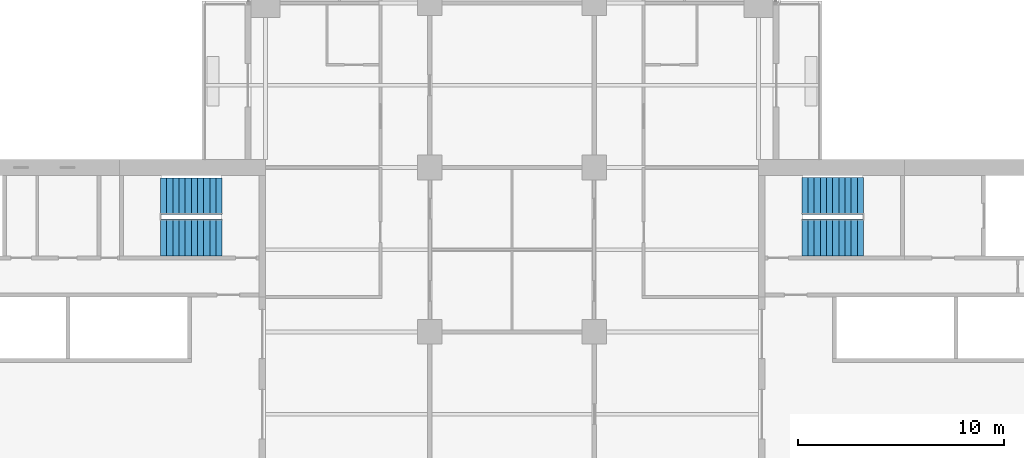
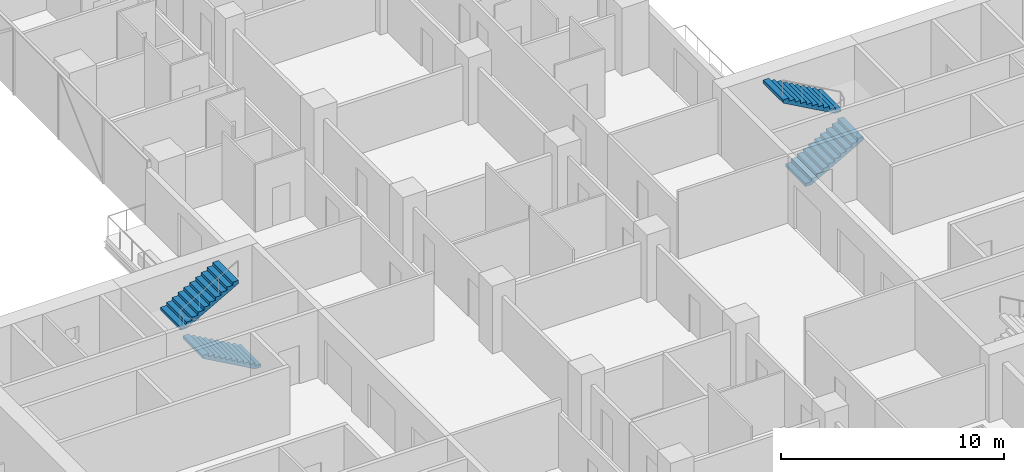
# One storey, part 24 of 29: 4 stair flights, 2 elements without a shape of their own.
"""IFC4 building model written with IfcOpenShell, lengths in metres."""

from ifc_helpers import new_model, si_unit, direction, frame, origin, place, context, subcontext, project, spatial, polyline, outline, extrude, material, type_object, element, aggregate, save


model = new_model("IFC4")

# Units and contexts
model_context = context("Model", 3, precision=1e-05, world=origin(), true_north=direction((0.0, 1.0)))
body_context = subcontext(model_context, "Body", "Model", "MODEL_VIEW")
ifc_project = project(units=[si_unit("LENGTHUNIT", "METRE"), si_unit("AREAUNIT", "SQUARE_METRE"), si_unit("VOLUMEUNIT", "CUBIC_METRE"), si_unit("PLANEANGLEUNIT", "RADIAN"), si_unit("MASSUNIT", "GRAM", prefix="KILO")], contexts=[model_context])

# Site, building, storey
site_placement = place(None, origin())
site = spatial("IfcSite", under=ifc_project, at=site_placement, CompositionType="ELEMENT")
building_placement = place(site_placement, origin())
building = spatial("IfcBuilding", under=site, at=building_placement, Name="Crosswind Convention Tower", CompositionType="ELEMENT")
storey_placement = place(building_placement, frame((0.0, 0.0, 60.89990234375)))
storey = spatial("IfcBuildingStorey", under=building, at=storey_placement, Name="L09", CompositionType="ELEMENT", Elevation=60.89990234375)

# Stair, stair flights
ifc_material = material(Name="Concrete C40/50", Category="concrete")
stair_type = type_object("IfcStairType", Name="Exit stair 1800 wide, 2 flights of 11 risers", PredefinedType="HALF_TURN_STAIR", material=ifc_material)
stair_1_placement = place(storey_placement, origin())
stair_1 = element("IfcStair", 1, at=stair_1_placement, inside=storey, type_object=stair_type, Name="Exit stair ST1 L09", ObjectType="ST5", PredefinedType="HALF_TURN_STAIR")
stair_flight_type = type_object("IfcStairFlightType", Name="Stair flight 1800 wide, 11 risers (SF3)", PredefinedType="STRAIGHT", material=ifc_material)
stair_flight_1_placement = place(storey_placement, frame((139.10009765625, 108.60009765625, 0.0), z_axis=(0.0, 0.0, 1.0), x_axis=(1.0, 0.0, 0.0)))
stair_flight_1 = element("IfcStairFlight", 2, at=stair_flight_1_placement, type_object=stair_flight_type, Name="ST1 flight 1", NumberOfRisers=11, NumberOfTreads=10, PredefinedType="STRAIGHT", RiserHeight=0.168181818, TreadLength=0.3, context=body_context, shape_type="SweptSolid", body=[
    extrude(outline(polyline([(0.0, 0.0), (0.0, 0.168212890625), (0.300048828125, 0.168212890625), (0.300048828125, 0.33642578125), (0.60009765625, 0.33642578125), (0.60009765625, 0.504638671875), (0.89990234375, 0.504638671875), (0.89990234375, 0.672607421875), (1.199951171875, 0.672607421875), (1.199951171875, 0.8408203125), (1.5, 0.8408203125), (1.5, 1.009033203125), (1.800048828125, 1.009033203125), (1.800048828125, 1.17724609375), (2.10009765625, 1.17724609375), (2.10009765625, 1.345458984375), (2.39990234375, 1.345458984375), (2.39990234375, 1.513671875), (2.699951171875, 1.513671875), (2.699951171875, 1.681884765625), (3.0, 1.681884765625), (3.0, 1.85009765625), (3.0, 1.510009765625), (0.306640625, 0.0), (0.0, 0.0)])), frame((0.0, 0.89990234375, 0.0), z_axis=(0.0, -1.0, 0.0), x_axis=(1.0, 0.0, 0.0)), (0.0, 0.0, 1.0), 1.800048828125),
])
stair_flight_2_placement = place(storey_placement, frame((142.10009765625, 110.60009765625, 1.85009765625), z_axis=(0.0, 0.0, 1.0), x_axis=(-1.0, 0.0, 0.0)))
stair_flight_2 = element("IfcStairFlight", 3, at=stair_flight_2_placement, type_object=stair_flight_type, Name="ST1 flight 2", NumberOfRisers=11, NumberOfTreads=10, PredefinedType="STRAIGHT", RiserHeight=0.168181818, TreadLength=0.3, context=body_context, shape_type="SweptSolid", body=[
    extrude(outline(polyline([(0.0, 0.0), (0.0, 0.168212890625), (0.300048828125, 0.168212890625), (0.300048828125, 0.33642578125), (0.60009765625, 0.33642578125), (0.60009765625, 0.504638671875), (0.89990234375, 0.504638671875), (0.89990234375, 0.672607421875), (1.199951171875, 0.672607421875), (1.199951171875, 0.8408203125), (1.5, 0.8408203125), (1.5, 1.009033203125), (1.800048828125, 1.009033203125), (1.800048828125, 1.17724609375), (2.10009765625, 1.17724609375), (2.10009765625, 1.345458984375), (2.39990234375, 1.345458984375), (2.39990234375, 1.513671875), (2.699951171875, 1.513671875), (2.699951171875, 1.681884765625), (3.0, 1.681884765625), (3.0, 1.85009765625), (3.0, 1.510009765625), (0.306640625, 0.0), (0.0, 0.0)])), frame((0.0, 0.89990234375, 0.0), z_axis=(0.0, -1.0, 0.0), x_axis=(1.0, 0.0, 0.0)), (0.0, 0.0, 1.0), 1.800048828125),
])
aggregate(stair_1, [stair_flight_1, stair_flight_2])

stair_2_placement = place(storey_placement, origin())
stair_2 = element("IfcStair", 4, at=stair_2_placement, inside=storey, type_object=stair_type, Name="Exit stair ST4 L09", ObjectType="ST5", PredefinedType="HALF_TURN_STAIR")
stair_flight_3_placement = place(storey_placement, frame((110.89990234375, 108.60009765625, 0.0), z_axis=(0.0, 0.0, 1.0), x_axis=(-1.0, 0.0, 0.0)))
stair_flight_3 = element("IfcStairFlight", 5, at=stair_flight_3_placement, type_object=stair_flight_type, Name="ST4 flight 1", NumberOfRisers=11, NumberOfTreads=10, PredefinedType="STRAIGHT", RiserHeight=0.168181818, TreadLength=0.3, context=body_context, shape_type="SweptSolid", body=[
    extrude(outline(polyline([(0.0, 0.0), (0.0, 0.168212890625), (0.300048828125, 0.168212890625), (0.300048828125, 0.33642578125), (0.60009765625, 0.33642578125), (0.60009765625, 0.504638671875), (0.89990234375, 0.504638671875), (0.89990234375, 0.672607421875), (1.199951171875, 0.672607421875), (1.199951171875, 0.8408203125), (1.5, 0.8408203125), (1.5, 1.009033203125), (1.800048828125, 1.009033203125), (1.800048828125, 1.17724609375), (2.10009765625, 1.17724609375), (2.10009765625, 1.345458984375), (2.39990234375, 1.345458984375), (2.39990234375, 1.513671875), (2.699951171875, 1.513671875), (2.699951171875, 1.681884765625), (3.0, 1.681884765625), (3.0, 1.85009765625), (3.0, 1.510009765625), (0.306640625, 0.0), (0.0, 0.0)])), frame((0.0, 0.89990234375, 0.0), z_axis=(0.0, -1.0, 0.0), x_axis=(1.0, 0.0, 0.0)), (0.0, 0.0, 1.0), 1.800048828125),
])
stair_flight_4_placement = place(storey_placement, frame((107.89990234375, 110.60009765625, 1.85009765625), z_axis=(0.0, 0.0, 1.0), x_axis=(1.0, 0.0, 0.0)))
stair_flight_4 = element("IfcStairFlight", 6, at=stair_flight_4_placement, type_object=stair_flight_type, Name="ST4 flight 2", NumberOfRisers=11, NumberOfTreads=10, PredefinedType="STRAIGHT", RiserHeight=0.168181818, TreadLength=0.3, context=body_context, shape_type="SweptSolid", body=[
    extrude(outline(polyline([(0.0, 0.0), (0.0, 0.168212890625), (0.300048828125, 0.168212890625), (0.300048828125, 0.33642578125), (0.60009765625, 0.33642578125), (0.60009765625, 0.504638671875), (0.89990234375, 0.504638671875), (0.89990234375, 0.672607421875), (1.199951171875, 0.672607421875), (1.199951171875, 0.8408203125), (1.5, 0.8408203125), (1.5, 1.009033203125), (1.800048828125, 1.009033203125), (1.800048828125, 1.17724609375), (2.10009765625, 1.17724609375), (2.10009765625, 1.345458984375), (2.39990234375, 1.345458984375), (2.39990234375, 1.513671875), (2.699951171875, 1.513671875), (2.699951171875, 1.681884765625), (3.0, 1.681884765625), (3.0, 1.85009765625), (3.0, 1.510009765625), (0.306640625, 0.0), (0.0, 0.0)])), frame((0.0, 0.89990234375, 0.0), z_axis=(0.0, -1.0, 0.0), x_axis=(1.0, 0.0, 0.0)), (0.0, 0.0, 1.0), 1.800048828125),
])
aggregate(stair_2, [stair_flight_3, stair_flight_4])

save(model, "model.ifc")
